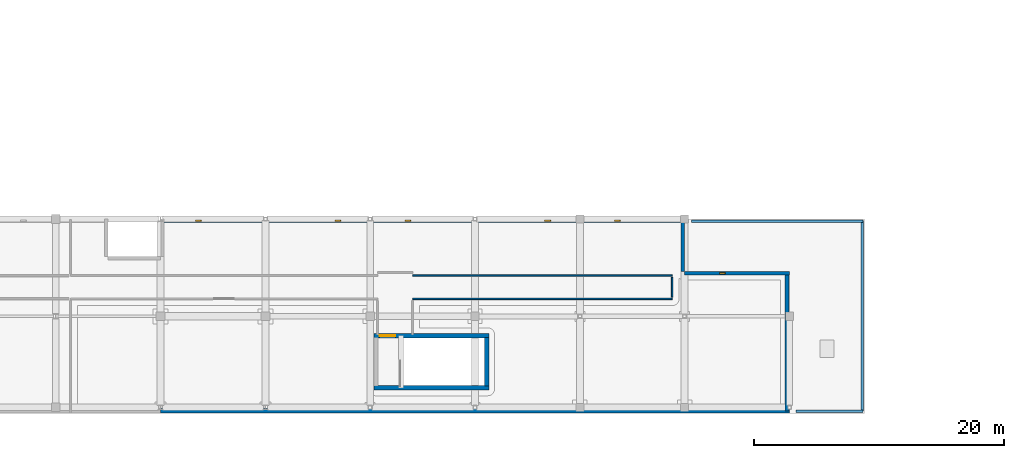
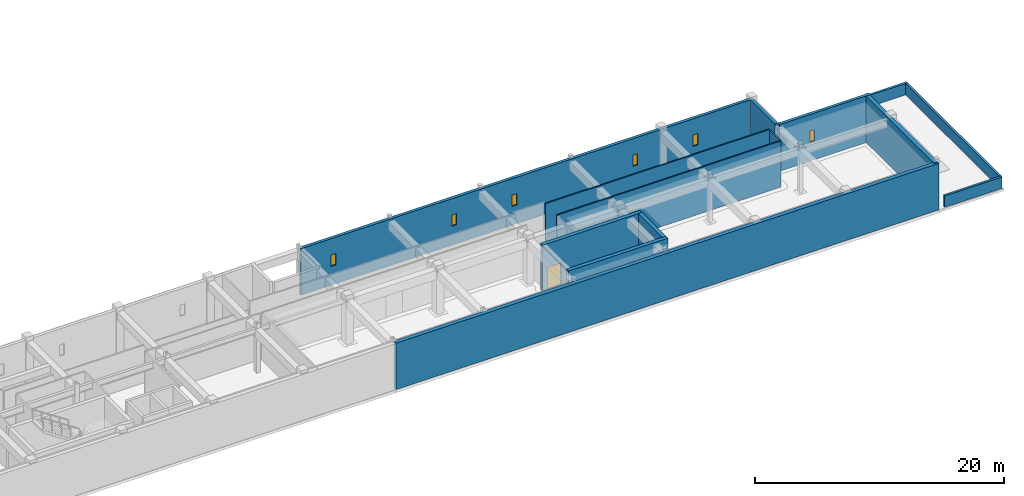
# One storey, part 106 of 123: 14 walls, 6 windows, 1 door, 7 openings.
"""IFC4 building model written with IfcOpenShell, lengths in metres."""

from ifc_helpers import new_model, si_unit, direction, frame, frame_2d, origin, place, context, subcontext, project, spatial, rectangle, extrude, material, layer, layer_set, type_object, element, fill, save


model = new_model("IFC4")

# Units and contexts
model_context = context("Model", 3, precision=1e-05, world=origin(), true_north=direction((0.0, 1.0)))
body_context = subcontext(model_context, "Body", "Model", "MODEL_VIEW")
ifc_project = project(units=[si_unit("LENGTHUNIT", "METRE"), si_unit("AREAUNIT", "SQUARE_METRE"), si_unit("VOLUMEUNIT", "CUBIC_METRE"), si_unit("PLANEANGLEUNIT", "RADIAN"), si_unit("MASSUNIT", "GRAM", prefix="KILO")], contexts=[model_context])

# Site, building, storey
site_placement = place(None, origin())
site = spatial("IfcSite", under=ifc_project, at=site_placement, CompositionType="ELEMENT")
building_placement = place(site_placement, origin())
building = spatial("IfcBuilding", under=site, at=building_placement, Name="Quendrovan Civic Courthouse", CompositionType="ELEMENT")
storey_placement = place(building_placement, frame((0.0, 0.0, 5.39990234375)))
storey = spatial("IfcBuildingStorey", under=building, at=storey_placement, Name="L02", CompositionType="ELEMENT", Elevation=5.39990234375)

# Wall
ifc_material_1 = material(Name="Concrete C45/55", Category="concrete")
ifc_layer_1 = layer(ifc_material_1, 0.35009765625, Name="Concrete C45/55")
ifc_layer_set_1 = layer_set([ifc_layer_1], Name="Concrete C45/55")
wall_type_1 = type_object("IfcWallType", Name="WL-CORE-350", PredefinedType="SHEAR", material=ifc_layer_set_1)
wall_1_placement = place(storey_placement, frame((75.889892578125, 2.06494140625, 0.0), z_axis=(0.0, 0.0, 1.0), x_axis=(1.0, 0.0, 0.0)))
element("IfcWall", 1, at=wall_1_placement, inside=storey, type_object=wall_type_1, Name="L02 Core Shear Wall ST7-S", PredefinedType="SHEAR", context=body_context, shape_type="SweptSolid", body=[
    extrude(rectangle(XDim=9.22021484375, YDim=0.35009765625, at=frame_2d((4.610107421875, 0.0))), origin(), (0.0, 0.0, 1.0), 4.52001953125),
])

# Wall, opening, door
wall_2_placement = place(storey_placement, frame((85.110107421875, 6.235107421875, 0.0), z_axis=(0.0, 0.0, 1.0), x_axis=(-1.0, 0.0, 0.0)))
wall_2 = element("IfcWall", 2, at=wall_2_placement, inside=storey, type_object=wall_type_1, Name="L02 Core Shear Wall ST7-N", PredefinedType="SHEAR", context=body_context, shape_type="SweptSolid", body=[
    extrude(rectangle(XDim=9.22021484375, YDim=0.35009765625, at=frame_2d((4.610107421875, 0.0))), origin(), (0.0, 0.0, 1.0), 4.52001953125),
])
opening_1_placement = place(wall_2_placement, frame((7.5, 0.0, 0.0)))
opening_1 = element("IfcOpeningElement", 3, at=opening_1_placement, cuts=wall_2, Name="Opening DS-ST7-L02", PredefinedType="OPENING", context=body_context, shape_type="SweptSolid", body=[
    extrude(rectangle(XDim=1.25, YDim=2.199951171875, at=frame_2d((0.625, 1.10009765625))), frame((0.0, 0.18505859375, 0.0), z_axis=(0.0, -1.0, 0.0), x_axis=(1.0, 0.0, 0.0)), (0.0, 0.0, 1.0), 0.3701171875),
])
ifc_material_2 = material(Name="Painted galvanized hollow-metal steel", Category="steel")
door_type = type_object("IfcDoorType", Name="DR-STAIR-1250", OperationType="NOTDEFINED", PredefinedType="DOOR", material=ifc_material_2)
door_placement = place(opening_1_placement, origin())
door = element("IfcDoor", 4, at=door_placement, inside=storey, type_object=door_type, Name="L02 Exit Stair ST7 Fire Door", OperationType="SINGLE_SWING_RIGHT", OverallHeight=2.199951171875, OverallWidth=1.25, PredefinedType="DOOR", context=body_context, shape_type="SweptSolid", body=[
    extrude(rectangle(XDim=1.25, YDim=2.199951171875, at=frame_2d((0.625, 1.10009765625))), frame((0.0, 0.02490234375, 0.0), z_axis=(0.0, -1.0, 0.0), x_axis=(1.0, 0.0, 0.0)), (0.0, 0.0, 1.0), 0.050048828125),
])
fill(opening_1, door)

# Wall
wall_3_placement = place(storey_placement, frame((84.93505859375, 6.10009765625, 0.0), z_axis=(0.0, 0.0, 1.0), x_axis=(0.0, -1.0, 0.0)))
element("IfcWall", 5, at=wall_3_placement, inside=storey, type_object=wall_type_1, Name="L02 Core Shear Wall ST7-E", PredefinedType="SHEAR", context=body_context, shape_type="SweptSolid", body=[
    extrude(rectangle(XDim=3.900146484375, YDim=0.35009765625, at=frame_2d((1.9501953125, 0.0))), origin(), (0.0, 0.0, 1.0), 4.52001953125),
])

# Wall, openings, windows
ifc_material_3 = material(Name="Concrete C40/50", Category="concrete")
ifc_layer_2 = layer(ifc_material_3, 0.27001953125, Name="Concrete C40/50")
ifc_layer_set_2 = layer_set([ifc_layer_2], Name="Concrete C40/50")
wall_type_2 = type_object("IfcWallType", Name="WL-EXT-RC270", PredefinedType="SOLIDWALL", material=ifc_layer_set_2)
wall_4_placement = place(storey_placement, frame((58.800048828125, 15.445068359375, 0.0), z_axis=(0.0, 0.0, 1.0), x_axis=(1.0, 0.0, 0.0)))
wall_4 = element("IfcWall", 6, at=wall_4_placement, inside=storey, type_object=wall_type_2, Name="L02 Exterior Precast Concrete Wall 191", PredefinedType="SOLIDWALL", context=body_context, shape_type="SweptSolid", body=[
    extrude(rectangle(XDim=42.0, YDim=0.27001953125, at=frame_2d((21.0, 0.0))), origin(), (0.0, 0.0, 1.0), 4.56005859375),
])
opening_2_placement = place(wall_4_placement, frame((2.800048828125, 0.0, 1.85009765625)))
opening_2 = element("IfcOpeningElement", 7, at=opening_2_placement, cuts=wall_4, Name="Opening WS01", PredefinedType="OPENING", context=body_context, shape_type="SweptSolid", body=[
    extrude(rectangle(XDim=0.449951171875, YDim=1.10009765625, at=frame_2d((0.22509765625, 0.550048828125))), frame((0.0, 0.14501953125, 0.0), z_axis=(0.0, -1.0, 0.0), x_axis=(1.0, 0.0, 0.0)), (0.0, 0.0, 1.0), 0.2900390625),
])
opening_3_placement = place(wall_4_placement, frame((14.0, 0.0, 1.85009765625)))
opening_3 = element("IfcOpeningElement", 8, at=opening_3_placement, cuts=wall_4, Name="Opening WS01", PredefinedType="OPENING", context=body_context, shape_type="SweptSolid", body=[
    extrude(rectangle(XDim=0.449951171875, YDim=1.10009765625, at=frame_2d((0.22509765625, 0.550048828125))), frame((0.0, 0.14501953125, 0.0), z_axis=(0.0, -1.0, 0.0), x_axis=(1.0, 0.0, 0.0)), (0.0, 0.0, 1.0), 0.2900390625),
])
opening_4_placement = place(wall_4_placement, frame((19.60009765625, 0.0, 1.85009765625)))
opening_4 = element("IfcOpeningElement", 9, at=opening_4_placement, cuts=wall_4, Name="Opening WS01", PredefinedType="OPENING", context=body_context, shape_type="SweptSolid", body=[
    extrude(rectangle(XDim=0.449951171875, YDim=1.10009765625, at=frame_2d((0.22509765625, 0.550048828125))), frame((0.0, 0.14501953125, 0.0), z_axis=(0.0, -1.0, 0.0), x_axis=(1.0, 0.0, 0.0)), (0.0, 0.0, 1.0), 0.2900390625),
])
opening_5_placement = place(wall_4_placement, frame((30.800048828125, 0.0, 1.85009765625)))
opening_5 = element("IfcOpeningElement", 10, at=opening_5_placement, cuts=wall_4, Name="Opening WS01", PredefinedType="OPENING", context=body_context, shape_type="SweptSolid", body=[
    extrude(rectangle(XDim=0.449951171875, YDim=1.10009765625, at=frame_2d((0.22509765625, 0.550048828125))), frame((0.0, 0.14501953125, 0.0), z_axis=(0.0, -1.0, 0.0), x_axis=(1.0, 0.0, 0.0)), (0.0, 0.0, 1.0), 0.2900390625),
])
opening_6_placement = place(wall_4_placement, frame((36.39990234375, 0.0, 1.85009765625)))
opening_6 = element("IfcOpeningElement", 11, at=opening_6_placement, cuts=wall_4, Name="Opening WS01", PredefinedType="OPENING", context=body_context, shape_type="SweptSolid", body=[
    extrude(rectangle(XDim=0.449951171875, YDim=1.10009765625, at=frame_2d((0.22509765625, 0.550048828125))), frame((0.0, 0.14501953125, 0.0), z_axis=(0.0, -1.0, 0.0), x_axis=(1.0, 0.0, 0.0)), (0.0, 0.0, 1.0), 0.2900390625),
])
ifc_material_4 = material(Name="Polycarbonate laminated security glass", Category="glass")
window_type = type_object("IfcWindowType", Name="WIN-SEC-SLOT", PartitioningType="SINGLE_PANEL", PredefinedType="WINDOW", material=ifc_material_4)
window_1_placement = place(opening_2_placement, origin())
window_1 = element("IfcWindow", 12, at=window_1_placement, inside=storey, type_object=window_type, Name="L02 Custody High-Sill Security Window 0004", OverallHeight=1.10009765625, OverallWidth=0.449951171875, PartitioningType="SINGLE_PANEL", PredefinedType="WINDOW", context=body_context, shape_type="SweptSolid", body=[
    extrude(rectangle(XDim=0.449951171875, YDim=1.10009765625, at=frame_2d((0.22509765625, 0.550048828125))), frame((0.0, 0.030029296875, 0.0), z_axis=(0.0, -1.0, 0.0), x_axis=(1.0, 0.0, 0.0)), (0.0, 0.0, 1.0), 0.06005859375),
])
fill(opening_2, window_1)
window_2_placement = place(opening_3_placement, origin())
window_2 = element("IfcWindow", 13, at=window_2_placement, inside=storey, type_object=window_type, Name="L02 Custody High-Sill Security Window 0005", OverallHeight=1.10009765625, OverallWidth=0.449951171875, PartitioningType="SINGLE_PANEL", PredefinedType="WINDOW", context=body_context, shape_type="SweptSolid", body=[
    extrude(rectangle(XDim=0.449951171875, YDim=1.10009765625, at=frame_2d((0.22509765625, 0.550048828125))), frame((0.0, 0.030029296875, 0.0), z_axis=(0.0, -1.0, 0.0), x_axis=(1.0, 0.0, 0.0)), (0.0, 0.0, 1.0), 0.06005859375),
])
fill(opening_3, window_2)
window_3_placement = place(opening_4_placement, origin())
window_3 = element("IfcWindow", 14, at=window_3_placement, inside=storey, type_object=window_type, Name="L02 Custody High-Sill Security Window 0006", OverallHeight=1.10009765625, OverallWidth=0.449951171875, PartitioningType="SINGLE_PANEL", PredefinedType="WINDOW", context=body_context, shape_type="SweptSolid", body=[
    extrude(rectangle(XDim=0.449951171875, YDim=1.10009765625, at=frame_2d((0.22509765625, 0.550048828125))), frame((0.0, 0.030029296875, 0.0), z_axis=(0.0, -1.0, 0.0), x_axis=(1.0, 0.0, 0.0)), (0.0, 0.0, 1.0), 0.06005859375),
])
fill(opening_4, window_3)
window_4_placement = place(opening_5_placement, origin())
window_4 = element("IfcWindow", 15, at=window_4_placement, inside=storey, type_object=window_type, Name="L02 Custody High-Sill Security Window 0007", OverallHeight=1.10009765625, OverallWidth=0.449951171875, PartitioningType="SINGLE_PANEL", PredefinedType="WINDOW", context=body_context, shape_type="SweptSolid", body=[
    extrude(rectangle(XDim=0.449951171875, YDim=1.10009765625, at=frame_2d((0.22509765625, 0.550048828125))), frame((0.0, 0.030029296875, 0.0), z_axis=(0.0, -1.0, 0.0), x_axis=(1.0, 0.0, 0.0)), (0.0, 0.0, 1.0), 0.06005859375),
])
fill(opening_5, window_4)
window_5_placement = place(opening_6_placement, origin())
window_5 = element("IfcWindow", 16, at=window_5_placement, inside=storey, type_object=window_type, Name="L02 Custody High-Sill Security Window 0008", OverallHeight=1.10009765625, OverallWidth=0.449951171875, PartitioningType="SINGLE_PANEL", PredefinedType="WINDOW", context=body_context, shape_type="SweptSolid", body=[
    extrude(rectangle(XDim=0.449951171875, YDim=1.10009765625, at=frame_2d((0.22509765625, 0.550048828125))), frame((0.0, 0.030029296875, 0.0), z_axis=(0.0, -1.0, 0.0), x_axis=(1.0, 0.0, 0.0)), (0.0, 0.0, 1.0), 0.06005859375),
])
fill(opening_6, window_5)

# Wall
wall_5_placement = place(storey_placement, frame((100.64501953125, 15.60009765625, 0.0), z_axis=(0.0, 0.0, 1.0), x_axis=(0.0, -1.0, 0.0)))
element("IfcWall", 17, at=wall_5_placement, inside=storey, type_object=wall_type_2, Name="L02 Exterior Precast Concrete Wall 192", PredefinedType="SOLIDWALL", context=body_context, shape_type="SweptSolid", body=[
    extrude(rectangle(XDim=4.2001953125, YDim=0.27001953125, at=frame_2d((2.10009765625, 0.0))), origin(), (0.0, 0.0, 1.0), 4.580078125),
])

# Wall, opening, window
wall_6_placement = place(storey_placement, frame((100.800048828125, 11.2451171875, 0.0), z_axis=(0.0, 0.0, 1.0), x_axis=(1.0, 0.0, 0.0)))
wall_6 = element("IfcWall", 18, at=wall_6_placement, inside=storey, type_object=wall_type_2, Name="L02 Exterior Precast Concrete Wall 193", PredefinedType="SOLIDWALL", context=body_context, shape_type="SweptSolid", body=[
    extrude(rectangle(XDim=8.39990234375, YDim=0.27001953125, at=frame_2d((4.199951171875, 0.0))), origin(), (0.0, 0.0, 1.0), 4.580078125),
])
opening_7_placement = place(wall_6_placement, frame((2.800048828125, 0.0, 1.85009765625)))
opening_7 = element("IfcOpeningElement", 19, at=opening_7_placement, cuts=wall_6, Name="Opening WS01", PredefinedType="OPENING", context=body_context, shape_type="SweptSolid", body=[
    extrude(rectangle(XDim=0.449951171875, YDim=1.10009765625, at=frame_2d((0.22509765625, 0.550048828125))), frame((0.0, 0.14501953125, 0.0), z_axis=(0.0, -1.0, 0.0), x_axis=(1.0, 0.0, 0.0)), (0.0, 0.0, 1.0), 0.2900390625),
])
window_6_placement = place(opening_7_placement, origin())
window_6 = element("IfcWindow", 20, at=window_6_placement, inside=storey, type_object=window_type, Name="L02 Custody High-Sill Security Window 0009", OverallHeight=1.10009765625, OverallWidth=0.449951171875, PartitioningType="SINGLE_PANEL", PredefinedType="WINDOW", context=body_context, shape_type="SweptSolid", body=[
    extrude(rectangle(XDim=0.449951171875, YDim=1.10009765625, at=frame_2d((0.22509765625, 0.550048828125))), frame((0.0, 0.030029296875, 0.0), z_axis=(0.0, -1.0, 0.0), x_axis=(1.0, 0.0, 0.0)), (0.0, 0.0, 1.0), 0.06005859375),
])
fill(opening_7, window_6)

# Walls
ifc_material_5 = material(Name="Acoustic glazed-head stud partition")
ifc_layer_3 = layer(ifc_material_5, 0.1201171875, Name="Acoustic glazed-head stud partition")
ifc_layer_set_3 = layer_set([ifc_layer_3], Name="Acoustic glazed-head stud partition")
wall_type_3 = type_object("IfcWallType", Name="WL-LIB-120", PredefinedType="PARTITIONING", material=ifc_layer_set_3)
for number, where, z_axis, x_axis, name in (
    (21, (79.0, 9.199951171875, 0.0), (0.0, 0.0, 1.0), (1.0, 0.0, 0.0), "L02 Law Library Reading Room Partition 0298"),
    (22, (99.800048828125, 11.050048828125, 0.0), (0.0, 0.0, 1.0), (-1.0, 0.0, 0.0), "L02 Law Library Reading Room Partition 0299"),
):
    element("IfcWall", number, at=place(storey_placement, frame(where, z_axis=z_axis, x_axis=x_axis)), inside=storey, type_object=wall_type_3, Name=name, PredefinedType="PARTITIONING", context=body_context, shape_type="SweptSolid", body=[
        extrude(rectangle(XDim=20.800048828125, YDim=0.1201171875, at=frame_2d((10.39990234375, 0.0))), origin(), (0.0, 0.0, 1.0), 4.52001953125),
    ])
wall_7_placement = place(storey_placement, frame((99.800048828125, 9.340087890625, 0.0), z_axis=(0.0, 0.0, 1.0), x_axis=(0.0, 1.0, 0.0)))
element("IfcWall", 23, at=wall_7_placement, inside=storey, type_object=wall_type_3, Name="L02 Law Library Reading Room Partition 0408", PredefinedType="PARTITIONING", context=body_context, shape_type="SweptSolid", body=[
    extrude(rectangle(XDim=1.56982421875, YDim=0.1201171875, at=frame_2d((0.784912109375, 0.0))), origin(), (0.0, 0.0, 1.0), 4.52001953125),
])
ifc_material_6 = material(Name="Precast concrete C45/55", Category="concrete")
ifc_layer_4 = layer(ifc_material_6, 0.2099609375, Name="Precast concrete C45/55")
ifc_layer_set_4 = layer_set([ifc_layer_4], Name="Precast concrete C45/55")
wall_type_4 = type_object("IfcWallType", Name="WL-PARAPET-210", PredefinedType="PARAPET", material=ifc_layer_set_4)
wall_8_placement = place(storey_placement, frame((115.02001953125, 15.47998046875, 0.0), z_axis=(0.0, 0.0, 1.0), x_axis=(0.0, -1.0, 0.0)))
element("IfcWall", 24, at=wall_8_placement, inside=storey, type_object=wall_type_4, Name="L02 Precast Roof Parapet Wall 08", PredefinedType="PARAPET", context=body_context, shape_type="SweptSolid", body=[
    extrude(rectangle(XDim=15.280029296875, YDim=0.2099609375, at=frame_2d((7.64013671875, 0.0))), origin(), (0.0, 0.0, 1.0), 1.1201171875),
])
wall_9_placement = place(storey_placement, frame((115.080078125, 0.199951171875, 0.0), z_axis=(0.0, 0.0, 1.0), x_axis=(-1.0, 0.0, 0.0)))
element("IfcWall", 25, at=wall_9_placement, inside=storey, type_object=wall_type_4, Name="L02 Precast Roof Parapet Wall 09", PredefinedType="PARAPET", context=body_context, shape_type="SweptSolid", body=[
    extrude(rectangle(XDim=5.340087890625, YDim=0.2099609375, at=frame_2d((2.669921875, 0.0))), origin(), (0.0, 0.0, 1.0), 1.1201171875),
])
wall_10_placement = place(storey_placement, frame((101.340087890625, 15.419921875, 0.0), z_axis=(0.0, 0.0, 1.0), x_axis=(1.0, 0.0, 0.0)))
element("IfcWall", 26, at=wall_10_placement, inside=storey, type_object=wall_type_4, Name="L02 Precast Roof Parapet Wall 10", PredefinedType="PARAPET", context=body_context, shape_type="SweptSolid", body=[
    extrude(rectangle(XDim=13.739990234375, YDim=0.2099609375, at=frame_2d((6.8701171875, 0.0))), origin(), (0.0, 0.0, 1.0), 1.1201171875),
])
ifc_layer_5 = layer(ifc_material_3, 0.360107421875, Name="Concrete C40/50")
ifc_layer_set_5 = layer_set([ifc_layer_5], Name="Concrete C40/50")
wall_type_5 = type_object("IfcWallType", Name="WL-PARTY-360", PredefinedType="SOLIDWALL", material=ifc_layer_set_5)
wall_11_placement = place(storey_placement, frame((109.0, 11.39990234375, 0.0), z_axis=(0.0, 0.0, 1.0), x_axis=(0.0, -1.0, 0.0)))
element("IfcWall", 27, at=wall_11_placement, inside=storey, type_object=wall_type_5, Name="L02 Fire-Rated Boundary Party Wall 194", PredefinedType="SOLIDWALL", context=body_context, shape_type="SweptSolid", body=[
    extrude(rectangle(XDim=11.18994140625, YDim=0.360107421875, at=frame_2d((5.594970703125, 0.0))), origin(), (0.0, 0.0, 1.0), 4.580078125),
])
wall_12_placement = place(storey_placement, frame((109.199951171875, 0.2099609375, 0.0), z_axis=(0.0, 0.0, 1.0), x_axis=(-1.0, 0.0, 0.0)))
element("IfcWall", 28, at=wall_12_placement, inside=storey, type_object=wall_type_5, Name="L02 Fire-Rated Boundary Party Wall 195", PredefinedType="SOLIDWALL", context=body_context, shape_type="SweptSolid", body=[
    extrude(rectangle(XDim=50.39990234375, YDim=0.360107421875, at=frame_2d((25.199951171875, 0.0))), origin(), (0.0, 0.0, 1.0), 4.56005859375),
])

save(model, "model.ifc")
